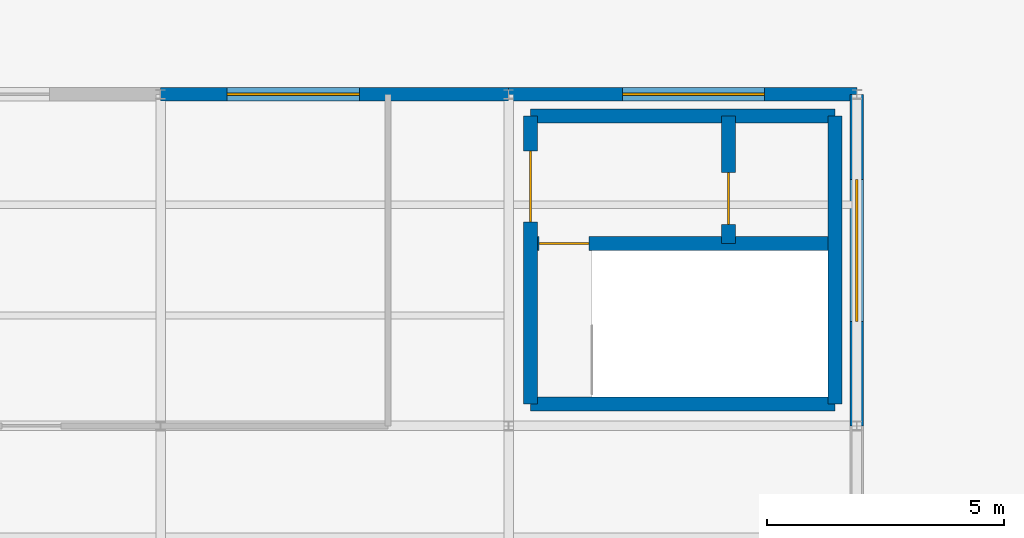
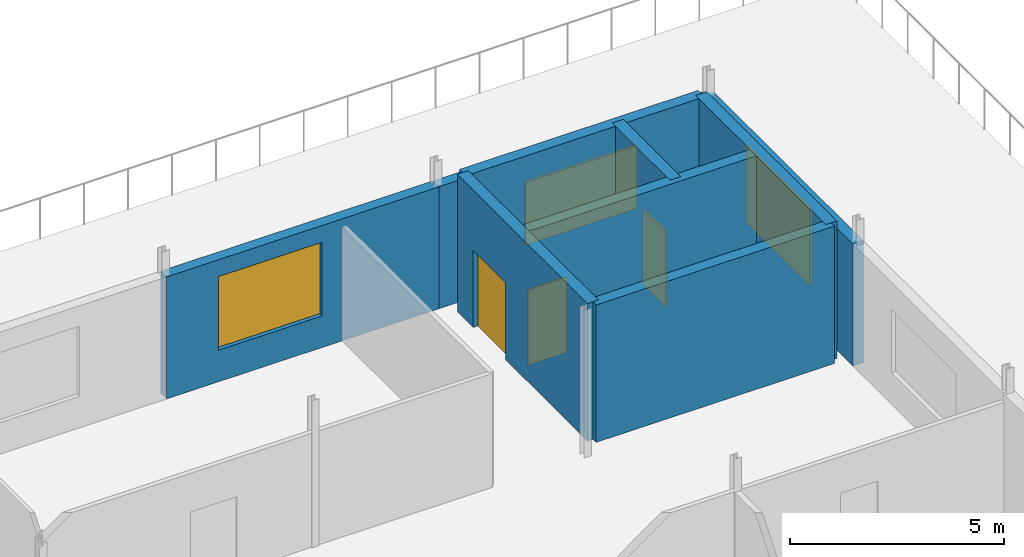
# One storey, part 9 of 10: 9 walls, 3 doors, 3 windows, 6 openings.
"""IFC4 building model written with IfcOpenShell, lengths in metres."""

from ifc_helpers import new_model, si_unit, direction, frame, frame_2d, origin, place, context, subcontext, project, spatial, rectangle, extrude, material, layer, layer_set, type_object, element, fill, save


model = new_model("IFC4")

# Units and contexts
model_context = context("Model", 3, precision=1e-05, world=origin(), true_north=direction((0.0, 1.0)))
body_context = subcontext(model_context, "Body", "Model", "MODEL_VIEW")
ifc_project = project(units=[si_unit("LENGTHUNIT", "METRE"), si_unit("AREAUNIT", "SQUARE_METRE"), si_unit("VOLUMEUNIT", "CUBIC_METRE"), si_unit("PLANEANGLEUNIT", "RADIAN"), si_unit("MASSUNIT", "GRAM", prefix="KILO")], contexts=[model_context])

# Site, building, storey
site_placement = place(None, origin())
site = spatial("IfcSite", under=ifc_project, at=site_placement, CompositionType="ELEMENT")
building_placement = place(site_placement, origin())
building = spatial("IfcBuilding", under=site, at=building_placement, Name="Kazenagashi Tramway Depot", CompositionType="ELEMENT")
storey_placement = place(building_placement, frame((0.0, 0.0, 19.5)))
storey = spatial("IfcBuildingStorey", under=building, at=storey_placement, Name="L05", CompositionType="ELEMENT", Elevation=19.5)

# Wall, opening, window
ifc_material_1 = material(Name="Clay Brick Masonry JIS R 1250 Class 1 (20 MPa)", Category="masonry")
ifc_layer_1 = layer(ifc_material_1, 0.28)
ifc_layer_set_1 = layer_set([ifc_layer_1], Name="Clay Brick Masonry JIS R 1250 Class 1 (20 MPa)")
wall_type_1 = type_object("IfcWallType", Name="W-BK5", PredefinedType="SOLIDWALL", material=ifc_layer_set_1)
wall_1_placement = place(storey_placement, frame((29.4, 35.0, 0.0), z_axis=(0.0, 0.0, 1.0), x_axis=(0.0, 1.0, 0.0)))
wall_1 = element("IfcWall", 1, at=wall_1_placement, inside=storey, type_object=wall_type_1, Name="Exterior Brick Wall W-BK5 EWALL-0268", PredefinedType="SOLIDWALL", context=body_context, shape_type="SweptSolid", body=[
    extrude(rectangle(XDim=7.0, YDim=0.28, at=frame_2d((3.5, 0.0))), origin(), (0.0, 0.0, 1.0), 3.48),
])
opening_1_placement = place(wall_1_placement, frame((2.2, 0.0, 0.9)))
opening_1 = element("IfcOpeningElement", 2, at=opening_1_placement, cuts=wall_1, Name="Opening WN-14", PredefinedType="OPENING", context=body_context, shape_type="SweptSolid", body=[
    extrude(rectangle(XDim=3.0, YDim=2.2, at=frame_2d((1.5, 1.1))), frame((0.0, 0.15, 0.0), z_axis=(0.0, -1.0, 0.0), x_axis=(1.0, 0.0, 0.0)), (0.0, 0.0, 1.0), 0.3),
])
ifc_material_2 = material(Name="Anodised Aluminium and Tempered Low-E Glass", Category="aluminium")
window_type_1 = type_object("IfcWindowType", Name="WN-14", PartitioningType="SINGLE_PANEL", PredefinedType="WINDOW", material=ifc_material_2)
window_1_placement = place(opening_1_placement, origin())
window_1 = element("IfcWindow", 3, at=window_1_placement, inside=storey, type_object=window_type_1, Name="Window WN-14 WIN-0236", OverallHeight=2.2, OverallWidth=3.0, PartitioningType="SINGLE_PANEL", PredefinedType="WINDOW", context=body_context, shape_type="SweptSolid", body=[
    extrude(rectangle(XDim=3.0, YDim=2.2, at=frame_2d((1.5, 1.1))), frame((0.0, 0.03, 0.0), z_axis=(0.0, -1.0, 0.0), x_axis=(1.0, 0.0, 0.0)), (0.0, 0.0, 1.0), 0.06),
])
fill(opening_1, window_1)

wall_2_placement = place(storey_placement, frame((14.7, 42.0, 0.0), z_axis=(0.0, 0.0, 1.0), x_axis=(1.0, 0.0, 0.0)))
wall_2 = element("IfcWall", 4, at=wall_2_placement, inside=storey, type_object=wall_type_1, Name="Exterior Brick Wall W-BK5 EWALL-0273", PredefinedType="SOLIDWALL", context=body_context, shape_type="SweptSolid", body=[
    extrude(rectangle(XDim=7.35, YDim=0.28, at=frame_2d((3.675, 0.0))), origin(), (0.0, 0.0, 1.0), 3.48),
])
opening_2_placement = place(wall_2_placement, frame((1.4, 0.0, 0.9)))
opening_2 = element("IfcOpeningElement", 5, at=opening_2_placement, cuts=wall_2, Name="Opening WN-12", PredefinedType="OPENING", context=body_context, shape_type="SweptSolid", body=[
    extrude(rectangle(XDim=2.8, YDim=2.1, at=frame_2d((1.4, 1.05))), frame((0.0, 0.15, 0.0), z_axis=(0.0, -1.0, 0.0), x_axis=(1.0, 0.0, 0.0)), (0.0, 0.0, 1.0), 0.3),
])
window_type_2 = type_object("IfcWindowType", Name="WN-12", PartitioningType="SINGLE_PANEL", PredefinedType="WINDOW", material=ifc_material_2)
window_2_placement = place(opening_2_placement, origin())
window_2 = element("IfcWindow", 6, at=window_2_placement, inside=storey, type_object=window_type_2, Name="Window WN-12 WIN-0241", OverallHeight=2.1, OverallWidth=2.8, PartitioningType="SINGLE_PANEL", PredefinedType="WINDOW", context=body_context, shape_type="SweptSolid", body=[
    extrude(rectangle(XDim=2.8, YDim=2.1, at=frame_2d((1.4, 1.05))), frame((0.0, 0.03, 0.0), z_axis=(0.0, -1.0, 0.0), x_axis=(1.0, 0.0, 0.0)), (0.0, 0.0, 1.0), 0.06),
])
fill(opening_2, window_2)

wall_3_placement = place(storey_placement, frame((22.05, 42.0, 0.0), z_axis=(0.0, 0.0, 1.0), x_axis=(1.0, 0.0, 0.0)))
wall_3 = element("IfcWall", 7, at=wall_3_placement, inside=storey, type_object=wall_type_1, Name="Exterior Brick Wall W-BK5 EWALL-0275", PredefinedType="SOLIDWALL", context=body_context, shape_type="SweptSolid", body=[
    extrude(rectangle(XDim=7.35, YDim=0.28, at=frame_2d((3.675, 0.0))), origin(), (0.0, 0.0, 1.0), 3.48),
])
opening_3_placement = place(wall_3_placement, frame((2.4, 0.0, 0.9)))
opening_3 = element("IfcOpeningElement", 8, at=opening_3_placement, cuts=wall_3, Name="Opening WN-13", PredefinedType="OPENING", context=body_context, shape_type="SweptSolid", body=[
    extrude(rectangle(XDim=3.0, YDim=1.8, at=frame_2d((1.5, 0.9))), frame((0.0, 0.15, 0.0), z_axis=(0.0, -1.0, 0.0), x_axis=(1.0, 0.0, 0.0)), (0.0, 0.0, 1.0), 0.3),
])
window_type_3 = type_object("IfcWindowType", Name="WN-13", PartitioningType="SINGLE_PANEL", PredefinedType="WINDOW", material=ifc_material_2)
window_3_placement = place(opening_3_placement, origin())
window_3 = element("IfcWindow", 9, at=window_3_placement, inside=storey, type_object=window_type_3, Name="Window WN-13 WIN-0243", OverallHeight=1.8, OverallWidth=3.0, PartitioningType="SINGLE_PANEL", PredefinedType="WINDOW", context=body_context, shape_type="SweptSolid", body=[
    extrude(rectangle(XDim=3.0, YDim=1.8, at=frame_2d((1.5, 0.9))), frame((0.0, 0.03, 0.0), z_axis=(0.0, -1.0, 0.0), x_axis=(1.0, 0.0, 0.0)), (0.0, 0.0, 1.0), 0.06),
])
fill(opening_3, window_3)

# Walls
ifc_material_3 = material(Name="Concrete Fc36", Category="concrete")
ifc_layer_2 = layer(ifc_material_3, 0.3)
ifc_layer_set_2 = layer_set([ifc_layer_2], Name="Concrete Fc36")
wall_type_2 = type_object("IfcWallType", Name="W-RC1", PredefinedType="SHEAR", material=ifc_layer_set_2)
for number, where, z_axis, x_axis, name in (
    (10, (22.51, 35.46, 0.0), (0.0, 0.0, 1.0), (1.0, 0.0, 0.0), "Core Shear Wall W-RC1 IWALL-0072"),
    (11, (22.51, 41.54, 0.0), (0.0, 0.0, 1.0), (1.0, 0.0, 0.0), "Core Shear Wall W-RC1 IWALL-0073"),
):
    element("IfcWall", number, at=place(storey_placement, frame(where, z_axis=z_axis, x_axis=x_axis)), inside=storey, type_object=wall_type_2, Name=name, PredefinedType="SHEAR", context=body_context, shape_type="SweptSolid", body=[
        extrude(rectangle(XDim=6.43, YDim=0.3, at=frame_2d((3.215, 0.0))), origin(), (0.0, 0.0, 1.0), 3.92),
    ])

# Wall, opening, door
wall_4_placement = place(storey_placement, frame((22.51, 35.46, 0.0), z_axis=(0.0, 0.0, 1.0), x_axis=(0.0, 1.0, 0.0)))
wall_4 = element("IfcWall", 12, at=wall_4_placement, inside=storey, type_object=wall_type_2, Name="Core Shear Wall W-RC1 IWALL-0074", PredefinedType="SHEAR", context=body_context, shape_type="SweptSolid", body=[
    extrude(rectangle(XDim=6.08, YDim=0.3, at=frame_2d((3.04, 0.0))), origin(), (0.0, 0.0, 1.0), 3.92),
])
opening_4_placement = place(wall_4_placement, frame((3.84, 0.0, 0.0)))
opening_4 = element("IfcOpeningElement", 13, at=opening_4_placement, cuts=wall_4, Name="Opening D-070", PredefinedType="OPENING", context=body_context, shape_type="SweptSolid", body=[
    extrude(rectangle(XDim=1.5, YDim=2.2, at=frame_2d((0.75, 1.1))), frame((0.0, 0.16, 0.0), z_axis=(0.0, -1.0, 0.0), x_axis=(1.0, 0.0, 0.0)), (0.0, 0.0, 1.0), 0.32),
])
ifc_material_4 = material(Name="Galvanised Fire-Rated Steel Door", Category="steel")
door_type_1 = type_object("IfcDoorType", Name="DT-05", OperationType="NOTDEFINED", PredefinedType="DOOR", material=ifc_material_4)
door_1_placement = place(opening_4_placement, origin())
door_1 = element("IfcDoor", 14, at=door_1_placement, inside=storey, type_object=door_type_1, Name="Interior Door D-070", OperationType="DOUBLE_DOOR_SINGLE_SWING", OverallHeight=2.2, OverallWidth=1.5, PredefinedType="DOOR", context=body_context, shape_type="SweptSolid", body=[
    extrude(rectangle(XDim=1.5, YDim=2.2, at=frame_2d((0.75, 1.1))), frame((0.0, 0.025, 0.0), z_axis=(0.0, -1.0, 0.0), x_axis=(1.0, 0.0, 0.0)), (0.0, 0.0, 1.0), 0.05),
])
fill(opening_4, door_1)

# Wall
wall_5_placement = place(storey_placement, frame((28.94, 35.46, 0.0), z_axis=(0.0, 0.0, 1.0), x_axis=(0.0, 1.0, 0.0)))
element("IfcWall", 15, at=wall_5_placement, inside=storey, type_object=wall_type_2, Name="Core Shear Wall W-RC1 IWALL-0075", PredefinedType="SHEAR", context=body_context, shape_type="SweptSolid", body=[
    extrude(rectangle(XDim=6.08, YDim=0.3, at=frame_2d((3.04, 0.0))), origin(), (0.0, 0.0, 1.0), 3.92),
])

# Wall, opening, door
wall_6_placement = place(storey_placement, frame((22.51, 38.85, 0.0), z_axis=(0.0, 0.0, 1.0), x_axis=(1.0, 0.0, 0.0)))
wall_6 = element("IfcWall", 16, at=wall_6_placement, inside=storey, type_object=wall_type_2, Name="Core Shear Wall W-RC1 IWALL-0076", PredefinedType="SHEAR", context=body_context, shape_type="SweptSolid", body=[
    extrude(rectangle(XDim=6.43, YDim=0.3, at=frame_2d((3.215, 0.0))), origin(), (0.0, 0.0, 1.0), 3.92),
])
opening_5_placement = place(wall_6_placement, frame((0.185, 0.0, 0.0)))
opening_5 = element("IfcOpeningElement", 17, at=opening_5_placement, cuts=wall_6, Name="Opening D-069", PredefinedType="OPENING", context=body_context, shape_type="SweptSolid", body=[
    extrude(rectangle(XDim=1.05, YDim=2.15, at=frame_2d((0.525, 1.075))), frame((0.0, 0.16, 0.0), z_axis=(0.0, -1.0, 0.0), x_axis=(1.0, 0.0, 0.0)), (0.0, 0.0, 1.0), 0.32),
])
door_type_2 = type_object("IfcDoorType", Name="DT-07", OperationType="NOTDEFINED", PredefinedType="DOOR", material=ifc_material_4)
door_2_placement = place(opening_5_placement, origin())
door_2 = element("IfcDoor", 18, at=door_2_placement, inside=storey, type_object=door_type_2, Name="Interior Door D-069", OperationType="SINGLE_SWING_RIGHT", OverallHeight=2.15, OverallWidth=1.05, PredefinedType="DOOR", context=body_context, shape_type="SweptSolid", body=[
    extrude(rectangle(XDim=1.05, YDim=2.15, at=frame_2d((0.525, 1.075))), frame((0.0, 0.025, 0.0), z_axis=(0.0, -1.0, 0.0), x_axis=(1.0, 0.0, 0.0)), (0.0, 0.0, 1.0), 0.05),
])
fill(opening_5, door_2)

wall_7_placement = place(storey_placement, frame((26.69, 38.85, 0.0), z_axis=(0.0, 0.0, 1.0), x_axis=(0.0, 1.0, 0.0)))
wall_7 = element("IfcWall", 19, at=wall_7_placement, inside=storey, type_object=wall_type_2, Name="Core Shear Wall W-RC1 IWALL-0077", PredefinedType="SHEAR", context=body_context, shape_type="SweptSolid", body=[
    extrude(rectangle(XDim=2.69, YDim=0.3, at=frame_2d((1.345, 0.0))), origin(), (0.0, 0.0, 1.0), 3.92),
])
opening_6_placement = place(wall_7_placement, frame((0.4, 0.0, 0.0)))
opening_6 = element("IfcOpeningElement", 20, at=opening_6_placement, cuts=wall_7, Name="Opening LD-15", PredefinedType="OPENING", context=body_context, shape_type="SweptSolid", body=[
    extrude(rectangle(XDim=1.1, YDim=2.15, at=frame_2d((0.55, 1.075))), frame((0.0, 0.16, 0.0), z_axis=(0.0, -1.0, 0.0), x_axis=(1.0, 0.0, 0.0)), (0.0, 0.0, 1.0), 0.32),
])
ifc_material_5 = material(Name="Brushed Stainless Steel Landing Door", Category="steel")
door_type_3 = type_object("IfcDoorType", Name="DT-29", OperationType="NOTDEFINED", PredefinedType="DOOR", material=ifc_material_5)
door_3_placement = place(opening_6_placement, origin())
door_3 = element("IfcDoor", 21, at=door_3_placement, inside=storey, type_object=door_type_3, Name="Lift Sliding Landing Door LD-15", OperationType="SLIDING_TO_LEFT", OverallHeight=2.15, OverallWidth=1.1, PredefinedType="DOOR", context=body_context, shape_type="SweptSolid", body=[
    extrude(rectangle(XDim=1.1, YDim=2.15, at=frame_2d((0.55, 1.075))), frame((0.0, 0.025, 0.0), z_axis=(0.0, -1.0, 0.0), x_axis=(1.0, 0.0, 0.0)), (0.0, 0.0, 1.0), 0.05),
])
fill(opening_6, door_3)

save(model, "model.ifc")
